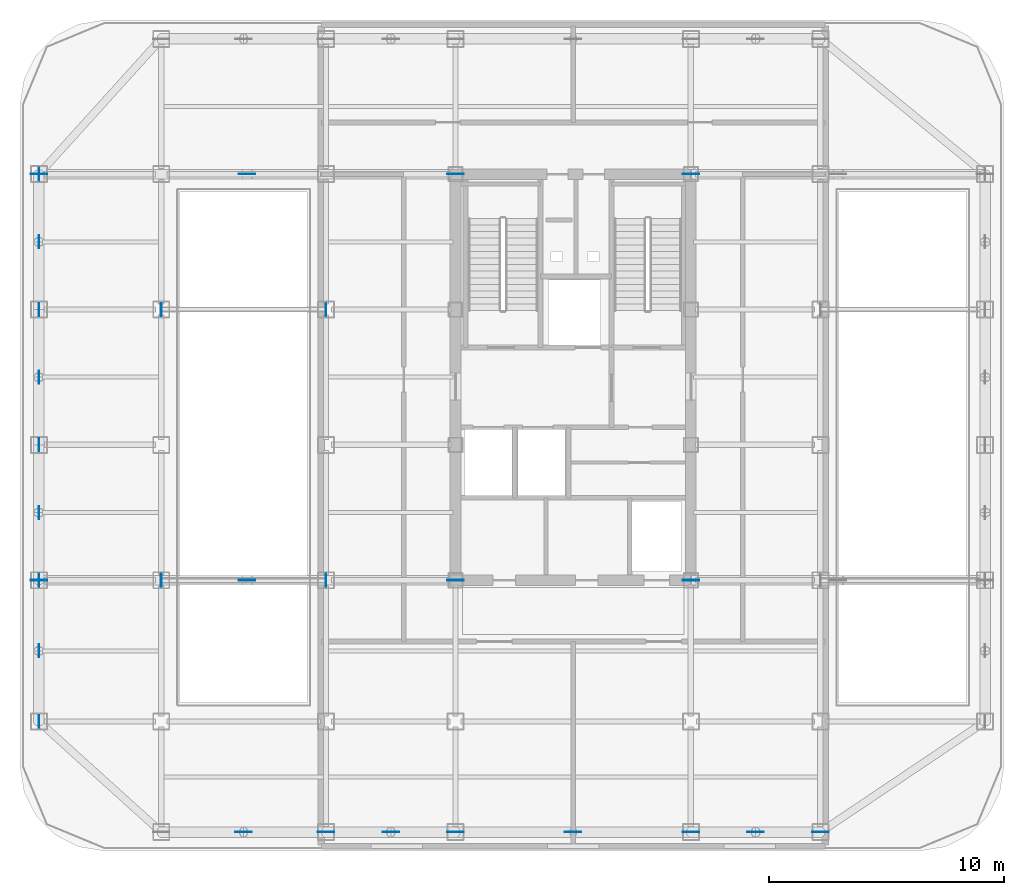
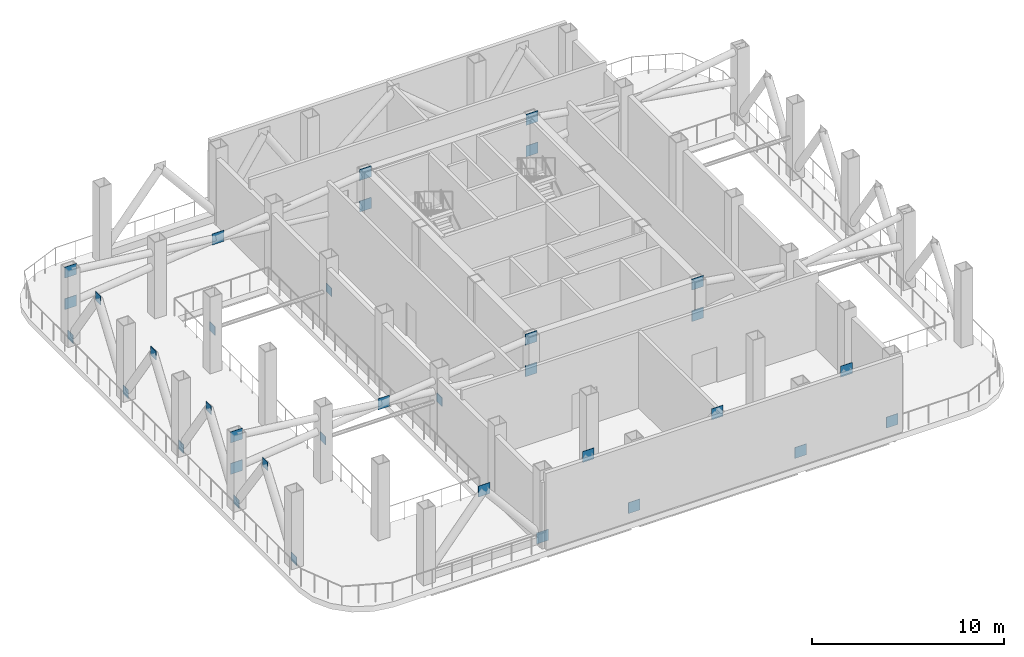
# One storey, part 4 of 10: 35 plates.
"""IFC4 building model written with IfcOpenShell, lengths in metres."""

from ifc_helpers import new_model, si_unit, direction, frame, origin, origin_2d, place, context, subcontext, project, spatial, rectangle, extrude, source, transform, mapped, material, layer, layer_set, type_object, element, save


model = new_model("IFC4")

# Units and contexts
model_context = context("Model", 3, precision=1e-05, world=origin(), true_north=direction((0.0, 1.0)))
body_context = subcontext(model_context, "Body", "Model", "MODEL_VIEW")
ifc_project = project(units=[si_unit("LENGTHUNIT", "METRE"), si_unit("AREAUNIT", "SQUARE_METRE"), si_unit("VOLUMEUNIT", "CUBIC_METRE"), si_unit("PLANEANGLEUNIT", "RADIAN"), si_unit("MASSUNIT", "GRAM", prefix="KILO")], contexts=[model_context])

# Site, building, storey
site_placement = place(None, origin())
site = spatial("IfcSite", under=ifc_project, at=site_placement, CompositionType="ELEMENT")
building_placement = place(site_placement, origin())
building = spatial("IfcBuilding", under=site, at=building_placement, Name="Kolveth Station Tower", CompositionType="ELEMENT")
storey_placement = place(building_placement, frame((0.0, 0.0, 188.10009765625)))
storey = spatial("IfcBuildingStorey", under=building, at=storey_placement, Name="L53", CompositionType="ELEMENT", Elevation=188.10009765625)

# Plates
ifc_material = material(Name="Steel S355", Category="steel")
ifc_layer_1 = layer(ifc_material, 0.02490234375)
ifc_layer_set_1 = layer_set([ifc_layer_1], Name="Steel S355")
plate_type_1 = type_object("IfcPlateType", Name="Plate_GP2", PredefinedType="USERDEFINED", material=ifc_layer_set_1)
shared_shape_1 = source(origin(), body_context, "Body", "SweptSolid", [
    extrude(rectangle(XDim=0.699951171875, YDim=0.02490234375, at=origin_2d()), origin(), (0.0, 0.0, 1.0), 0.699951171875),
])
for number, where, z_axis, x_axis, name in (
    (1, (13.0, 0.800048828125, 0.0), (0.0, 0.0, 1.0), (1.0, 0.0, 0.0), "L53 Belt Truss Base Gusset S2"),
    (2, (18.5, 0.800048828125, 0.0), (0.0, 0.0, 1.0), (1.0, 0.0, 0.0), "L53 Belt Truss Base Gusset S3"),
    (3, (28.5, 0.800048828125, 0.0), (0.0, 0.0, 1.0), (1.0, 0.0, 0.0), "L53 Belt Truss Base Gusset S4"),
    (4, (34.0, 0.800048828125, 0.0), (0.0, 0.0, 1.0), (1.0, 0.0, 0.0), "L53 Belt Truss Base Gusset S5"),
    (5, (9.5, 0.800048828125, 4.19970703125), (0.0, 0.0, 1.0), (1.0, 0.0, 0.0), "L53 Belt Truss Node Gusset S1"),
    (6, (15.75, 0.800048828125, 4.19970703125), (0.0, 0.0, 1.0), (1.0, 0.0, 0.0), "L53 Belt Truss Node Gusset S2"),
    (7, (23.5, 0.800048828125, 4.19970703125), (0.0, 0.0, 1.0), (1.0, 0.0, 0.0), "L53 Belt Truss Node Gusset S3"),
    (8, (31.25, 0.800048828125, 4.19970703125), (0.0, 0.0, 1.0), (1.0, 0.0, 0.0), "L53 Belt Truss Node Gusset S4"),
    (9, (9.64990234375, 11.5, 3.19970703125), (0.0, 0.0, 1.0), (1.0, 0.0, 0.0), "L53 Outrigger X-Crossing Gusset 1"),
    (10, (0.800048828125, 11.5, 2.19970703125), (0.0, 0.0, 1.0), (1.0, 0.0, 0.0), "L53 Outrigger End Gusset 1.1"),
    (11, (18.5, 11.5, 4.19970703125), (0.0, 0.0, 1.0), (1.0, 0.0, 0.0), "L53 Outrigger End Gusset 1.2"),
    (12, (18.5, 11.5, 2.19970703125), (0.0, 0.0, 1.0), (1.0, 0.0, 0.0), "L53 Outrigger End Gusset 1.3"),
    (13, (0.800048828125, 11.5, 4.19970703125), (0.0, 0.0, 1.0), (1.0, 0.0, 0.0), "L53 Outrigger End Gusset 1.4"),
    (14, (28.5, 11.5, 2.19970703125), (0.0, 0.0, 1.0), (1.0, 0.0, 0.0), "L53 Outrigger End Gusset 2.1"),
    (15, (28.5, 11.5, 4.19970703125), (0.0, 0.0, 1.0), (1.0, 0.0, 0.0), "L53 Outrigger End Gusset 2.4"),
    (16, (9.64990234375, 28.75, 3.19970703125), (0.0, 0.0, 1.0), (1.0, 0.0, 0.0), "L53 Outrigger X-Crossing Gusset 3"),
    (17, (0.800048828125, 28.75, 2.19970703125), (0.0, 0.0, 1.0), (1.0, 0.0, 0.0), "L53 Outrigger End Gusset 3.1"),
    (18, (18.5, 28.75, 4.19970703125), (0.0, 0.0, 1.0), (1.0, 0.0, 0.0), "L53 Outrigger End Gusset 3.2"),
    (19, (18.5, 28.75, 2.19970703125), (0.0, 0.0, 1.0), (1.0, 0.0, 0.0), "L53 Outrigger End Gusset 3.3"),
    (20, (0.800048828125, 28.75, 4.19970703125), (0.0, 0.0, 1.0), (1.0, 0.0, 0.0), "L53 Outrigger End Gusset 3.4"),
    (21, (28.5, 28.75, 2.19970703125), (0.0, 0.0, 1.0), (1.0, 0.0, 0.0), "L53 Outrigger End Gusset 4.1"),
    (22, (28.5, 28.75, 4.19970703125), (0.0, 0.0, 1.0), (1.0, 0.0, 0.0), "L53 Outrigger End Gusset 4.4"),
):
    element("IfcPlate", number, at=place(storey_placement, frame(where, z_axis=z_axis, x_axis=x_axis)), inside=storey, type_object=plate_type_1, Name=name, ObjectType="GUSSET_PLATE", PredefinedType="USERDEFINED", context=body_context, shape_type="MappedRepresentation", body=[
        mapped(shared_shape_1, transform((0.0, 0.0, 0.0), x_axis=(1.0, 0.0, 0.0), y_axis=(0.0, 1.0, 0.0), z_axis=(0.0, 0.0, 1.0), scale=1.0)),
    ])
ifc_layer_2 = layer(ifc_material, 0.028076171875)
ifc_layer_set_2 = layer_set([ifc_layer_2], Name="Steel S355")
plate_type_2 = type_object("IfcPlateType", Name="Plate_CP1", PredefinedType="USERDEFINED", material=ifc_layer_set_2)
shared_shape_2 = source(origin(), body_context, "Body", "SweptSolid", [
    extrude(rectangle(XDim=0.028076171875, YDim=0.550048828125, at=origin_2d()), origin(), (0.0, 0.0, 1.0), 0.550048828125),
])
for number, where, z_axis, x_axis, name in (
    (23, (0.800048828125, 5.5, 0.07470703125), (0.0, 0.0, 1.0), (1.0, 0.0, 0.0), "L53 Belt Truss Base Plate W1"),
    (24, (0.800048828125, 11.5, 0.07470703125), (0.0, 0.0, 1.0), (1.0, 0.0, 0.0), "L53 Belt Truss Base Plate W2"),
    (25, (0.800048828125, 17.25, 0.07470703125), (0.0, 0.0, 1.0), (1.0, 0.0, 0.0), "L53 Belt Truss Base Plate W3"),
    (26, (0.800048828125, 23.0, 0.07470703125), (0.0, 0.0, 1.0), (1.0, 0.0, 0.0), "L53 Belt Truss Base Plate W4"),
    (27, (0.800048828125, 28.75, 0.07470703125), (0.0, 0.0, 1.0), (1.0, 0.0, 0.0), "L53 Belt Truss Base Plate W5"),
    (28, (0.800048828125, 8.5, 4.27490234375), (0.0, 0.0, 1.0), (1.0, 0.0, 0.0), "L53 Belt Truss Cap Plate W1"),
    (29, (0.800048828125, 14.375, 4.27490234375), (0.0, 0.0, 1.0), (1.0, 0.0, 0.0), "L53 Belt Truss Cap Plate W2"),
    (30, (0.800048828125, 20.125, 4.27490234375), (0.0, 0.0, 1.0), (1.0, 0.0, 0.0), "L53 Belt Truss Cap Plate W3"),
    (31, (0.800048828125, 25.875, 4.27490234375), (0.0, 0.0, 1.0), (1.0, 0.0, 0.0), "L53 Belt Truss Cap Plate W4"),
    (32, (6.0, 11.5, 2.27490234375), (0.0, 0.0, 1.0), (1.0, 0.0, 0.0), "L53 Turbine Strut End Plate 1.1.1"),
    (33, (13.0, 11.5, 2.27490234375), (0.0, 0.0, 1.0), (1.0, 0.0, 0.0), "L53 Turbine Strut End Plate 1.1.2"),
    (34, (6.0, 23.0, 2.27490234375), (0.0, 0.0, 1.0), (1.0, 0.0, 0.0), "L53 Turbine Strut End Plate 1.2.1"),
    (35, (13.0, 23.0, 2.27490234375), (0.0, 0.0, 1.0), (1.0, 0.0, 0.0), "L53 Turbine Strut End Plate 1.2.2"),
):
    element("IfcPlate", number, at=place(storey_placement, frame(where, z_axis=z_axis, x_axis=x_axis)), inside=storey, type_object=plate_type_2, Name=name, ObjectType="GUSSET_PLATE", PredefinedType="USERDEFINED", context=body_context, shape_type="MappedRepresentation", body=[
        mapped(shared_shape_2, transform((0.0, 0.0, 0.0), x_axis=(1.0, 0.0, 0.0), y_axis=(0.0, 1.0, 0.0), z_axis=(0.0, 0.0, 1.0), scale=1.0)),
    ])

save(model, "model.ifc")
